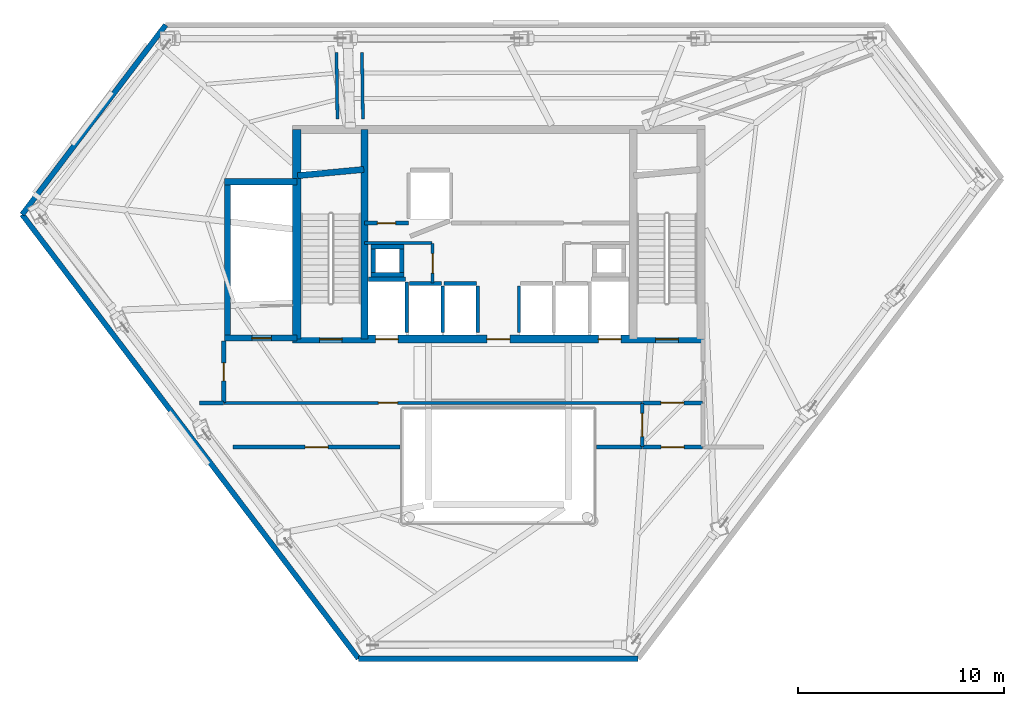
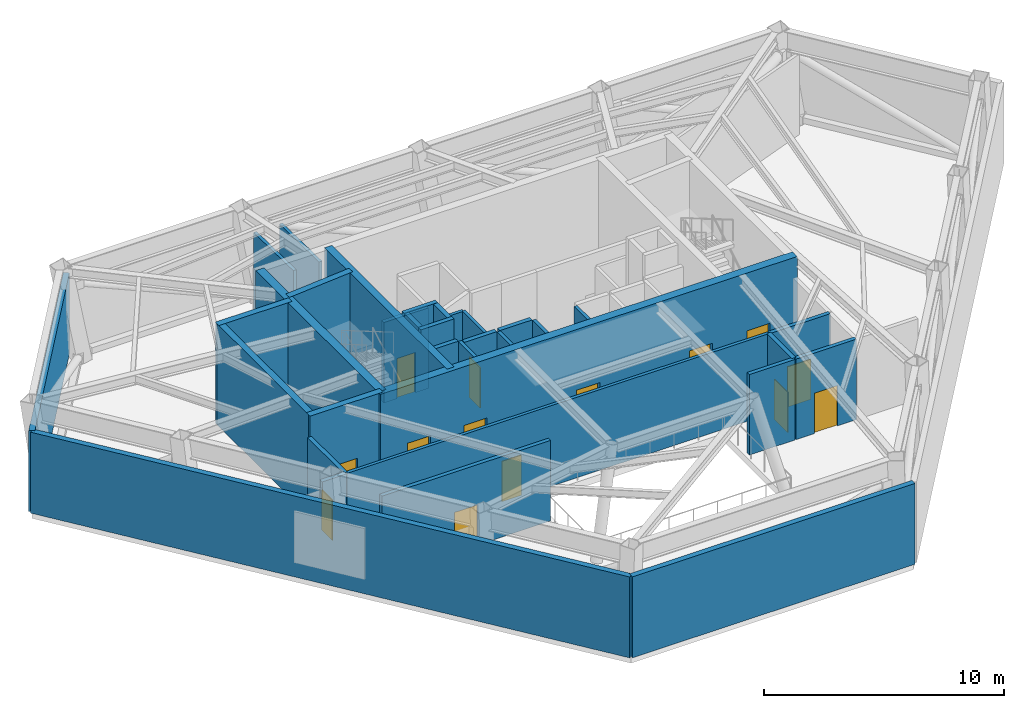
# One storey, part 5 of 10: 34 walls, 14 doors, 14 openings.
"""IFC4 building model written with IfcOpenShell, lengths in metres."""

import ifcopenshell
import ifcopenshell.guid

model = None  # the IFC model being written
_history = None  # IfcOwnerHistory: only IFC2X3 demands one
_inside = {}  # id of a spatial element -> (the spatial element, [elements in it])
_under = {}  # id of a project, library or spatial element -> (it, [spatial elements below it])
_declared = {}  # id of a project -> (the project, [libraries it declares])
_typed = {}  # id of a type object -> (the type object, [elements of that type])
_made_of = {}  # id of a material, layer set ... -> (it, [elements and type objects made of it])


def new_model(schema):
    """Start an empty IFC model of exactly this schema.

    Asked for "IFC4X3", IfcOpenShell would pick the latest addendum, in which some entities
    have other attributes; the version numbers below select the first issue.
    IFC2X3 requires an IfcOwnerHistory on every rooted entity: one is made here for all.
    """
    global model, _history
    if schema == "IFC4X3":
        model = ifcopenshell.file(schema_version=(4, 3, 0, 0))
    else:
        model = ifcopenshell.file(schema=schema)
    _inside.clear()
    _under.clear()
    _declared.clear()
    _typed.clear()
    _made_of.clear()
    _history = None
    if model.schema == "IFC2X3":
        org = make("IfcOrganization", Name="unknown")
        user = make(
            "IfcPersonAndOrganization",
            ThePerson=make("IfcPerson", FamilyName="unknown"),
            TheOrganization=org,
        )
        app = make(
            "IfcApplication",
            ApplicationDeveloper=org,
            Version="unknown",
            ApplicationFullName="unknown",
            ApplicationIdentifier="unknown",
        )
        _history = make(
            "IfcOwnerHistory",
            OwningUser=user,
            OwningApplication=app,
            ChangeAction="ADDED",
            CreationDate=0,
        )
    return model


def make(cls, **values):
    """One entity of the class cls with the attributes given. An attribute that is None is left unset."""
    return model.create_entity(
        cls, **{name: value for name, value in values.items() if value is not None}
    )


def rooted(cls, **values):
    """An entity with a GlobalId (a new one), such as an element, a storey or a relation."""
    return make(cls, GlobalId=ifcopenshell.guid.new(), OwnerHistory=_history, **values)


def si_unit(unit_type, name, prefix=None):
    """IfcSIUnit, for example si_unit("LENGTHUNIT", "METRE", prefix="MILLI")."""
    return make("IfcSIUnit", UnitType=unit_type, Prefix=prefix, Name=name)


def assignment(units):
    """IfcUnitAssignment: the units of a project."""
    return None if units is None else make("IfcUnitAssignment", Units=units)


def point(xyz):
    """IfcCartesianPoint."""
    return None if xyz is None else make("IfcCartesianPoint", Coordinates=xyz)


def direction(xyz):
    """IfcDirection."""
    return None if xyz is None else make("IfcDirection", DirectionRatios=xyz)


def frame(location, z_axis=None, x_axis=None):
    """IfcAxis2Placement3D, a coordinate frame: its origin and axes. An axis left out is left unset."""
    return make(
        "IfcAxis2Placement3D",
        Location=point(location),
        Axis=direction(z_axis),
        RefDirection=direction(x_axis),
    )


def frame_2d(location, x_axis=None):
    """IfcAxis2Placement2D, a coordinate frame in the plane: its origin and x axis."""
    return make(
        "IfcAxis2Placement2D", Location=point(location), RefDirection=direction(x_axis)
    )


def origin():
    """The frame at (0, 0, 0) with its axes left unset."""
    return frame((0.0, 0.0, 0.0))


def place(relative_to, where):
    """IfcLocalPlacement: puts the frame where relative to a parent placement (None: the world)."""
    return make(
        "IfcLocalPlacement", PlacementRelTo=relative_to, RelativePlacement=where
    )


def context(
    kind, dimensions, precision=None, world=None, true_north=None, identifier=None
):
    """IfcGeometricRepresentationContext, for example the 3D "Model" context."""
    return make(
        "IfcGeometricRepresentationContext",
        ContextIdentifier=identifier,
        ContextType=kind,
        CoordinateSpaceDimension=dimensions,
        Precision=precision,
        WorldCoordinateSystem=world,
        TrueNorth=true_north,
    )


def subcontext(parent, identifier, kind, view, scale=None):
    """IfcGeometricRepresentationSubContext, for example "Body" below "Model"."""
    return make(
        "IfcGeometricRepresentationSubContext",
        ContextIdentifier=identifier,
        ContextType=kind,
        ParentContext=parent,
        TargetScale=scale,
        TargetView=view,
    )


def project(units=None, contexts=None):
    """IfcProject with its units and contexts."""
    return rooted(
        "IfcProject",
        Name="project",
        RepresentationContexts=contexts,
        UnitsInContext=assignment(units),
    )


def spatial(cls, under=None, at=None, **own):
    """A site, building, storey or space (cls), placed at a placement, below another one or the project."""
    s = rooted(cls, ObjectPlacement=at, **own)
    if under is not None:
        _under.setdefault(under.id(), (under, []))[1].append(s)
    return s


def profile(cls, at=None, kind="AREA", **sizes):
    """A parametric profile (cls). Its sizes go by their IFC names, for example OverallWidth=200.0."""
    return make(cls, ProfileType=kind, Position=at, **sizes)


def rectangle(**sizes):
    """IfcRectangleProfileDef."""
    return profile("IfcRectangleProfileDef", **sizes)


def extrude(swept, where, along, depth):
    """IfcExtrudedAreaSolid: the profile swept, set in the frame where, extruded along a direction by depth."""
    return make(
        "IfcExtrudedAreaSolid",
        SweptArea=swept,
        Position=where,
        ExtrudedDirection=direction(along),
        Depth=depth,
    )


def shape(context_of_items, identifier, shape_type, items):
    """IfcShapeRepresentation: the items that make up one representation, for example the "Body"."""
    return make(
        "IfcShapeRepresentation",
        ContextOfItems=context_of_items,
        RepresentationIdentifier=identifier,
        RepresentationType=shape_type,
        Items=items,
    )


def material(Name=None, Category=None):
    """IfcMaterial."""
    return make("IfcMaterial", Name=Name, Category=Category)


def layer(
    of_material, thickness, ventilated=None, Name=None, Category=None, Priority=None
):
    """IfcMaterialLayer: one layer of a wall or slab, of a material (None: an air gap)."""
    return make(
        "IfcMaterialLayer",
        Material=of_material,
        LayerThickness=thickness,
        IsVentilated=ventilated,
        Name=Name,
        Category=Category,
        Priority=Priority,
    )


def layer_set(layers, Name=None):
    """IfcMaterialLayerSet."""
    return make("IfcMaterialLayerSet", MaterialLayers=layers, LayerSetName=Name)


def made_of(thing, what):
    """Note that an element or type object is made of a material, layer set ...; save() writes the relation."""
    if what is not None:
        _made_of.setdefault(what.id(), (what, []))[1].append(thing)
    return thing


def type_object(cls, material=None, **own):
    """A type object (cls), such as IfcWallType, which elements share."""
    return made_of(rooted(cls, **own), material)


def element(
    cls,
    number,
    at=None,
    inside=None,
    cuts=None,
    type_object=None,
    material=None,
    context=None,
    identifier="Body",
    shape_type=None,
    held_by="IfcProductDefinitionShape",
    body=None,
    shapes=None,
    **own,
):
    """One element of the class cls, such as IfcWall. Its Tag is "e" and its number.

    at: its placement. inside: the storey or other place that contains it. cuts: it is an
    opening in that element (IfcRelVoidsElement). A single representation is given by context,
    identifier, shape_type and body (its items); several are given by shapes. held_by: the class
    of the entity that holds the representations. save() writes the other relations.
    """
    e = rooted(cls, Tag="e%d" % number, ObjectPlacement=at, **own)
    if body is not None:
        shapes = [shape(context, identifier, shape_type, body)]
    if shapes is not None:
        e.Representation = make(held_by, Representations=shapes)
    if inside is not None:
        _inside.setdefault(inside.id(), (inside, []))[1].append(e)
    if cuts is not None:
        rooted(
            "IfcRelVoidsElement", RelatingBuildingElement=cuts, RelatedOpeningElement=e
        )
    if type_object is not None:
        _typed.setdefault(type_object.id(), (type_object, []))[1].append(e)
    return made_of(e, material)


def fill(opening, filler):
    """IfcRelFillsElement: the door or window that sits in an opening."""
    return rooted(
        "IfcRelFillsElement",
        RelatingOpeningElement=opening,
        RelatedBuildingElement=filler,
    )


def aggregate(whole, parts):
    """IfcRelAggregates: a whole, such as a stair, and the parts it consists of."""
    return rooted("IfcRelAggregates", RelatingObject=whole, RelatedObjects=parts)


def save(model, path):
    """Write the relations noted so far, then the file.

    IfcRelAggregates (storeys below a building ...), IfcRelContainedInSpatialStructure (elements
    in a storey), IfcRelDefinesByType, IfcRelAssociatesMaterial and IfcRelDeclares: one each for
    every whole, place, type object, material and project.
    """
    for whole, parts in _under.values():
        aggregate(whole, parts)
    for where, things in _inside.values():
        rooted(
            "IfcRelContainedInSpatialStructure",
            RelatedElements=things,
            RelatingStructure=where,
        )
    for kind, things in _typed.values():
        rooted("IfcRelDefinesByType", RelatedObjects=things, RelatingType=kind)
    for what, things in _made_of.values():
        rooted("IfcRelAssociatesMaterial", RelatedObjects=things, RelatingMaterial=what)
    for by, libraries in _declared.values():
        rooted("IfcRelDeclares", RelatingContext=by, RelatedDefinitions=libraries)
    model.write(path)


model = new_model("IFC4")

# Units and contexts
model_context = context("Model", 3, precision=1e-05, world=origin(), true_north=direction((0.0, 1.0)))
body_context = subcontext(model_context, "Body", "Model", "MODEL_VIEW")
ifc_project = project(units=[si_unit("LENGTHUNIT", "METRE"), si_unit("AREAUNIT", "SQUARE_METRE"), si_unit("VOLUMEUNIT", "CUBIC_METRE"), si_unit("PLANEANGLEUNIT", "RADIAN"), si_unit("MASSUNIT", "GRAM", prefix="KILO")], contexts=[model_context])

# Site, building, storey
site_placement = place(None, origin())
site = spatial("IfcSite", under=ifc_project, at=site_placement, CompositionType="ELEMENT")
building_placement = place(site_placement, origin())
building = spatial("IfcBuilding", under=site, at=building_placement, Name="Zarrinselat Tower", CompositionType="ELEMENT")
storey_placement = place(building_placement, frame((0.0, 0.0, 194.47998046875)))
storey = spatial("IfcBuildingStorey", under=building, at=storey_placement, Name="L48", CompositionType="ELEMENT", Elevation=194.47998046875)

# Walls
ifc_material_1 = material(Name="Honed Cream Travertine Stone", Category="masonry")
ifc_layer_1 = layer(ifc_material_1, 0.260009765625)
ifc_layer_set_1 = layer_set([ifc_layer_1], Name="Honed Cream Travertine Stone")
wall_type_1 = type_object("IfcWallType", Name="WAL-EXT-STONE-260", PredefinedType="STANDARD", material=ifc_layer_set_1)
wall_1_placement = place(storey_placement, frame((15.244384765625, 39.31005859375, 0.0), z_axis=(0.0, 0.0, 1.0), x_axis=(0.603857281528, 0.797092456084, 0.0)))
element("IfcWall", 1, at=wall_1_placement, inside=storey, type_object=wall_type_1, Name="L48 Mechanical Plant Travertine Perimeter Wall 2", PredefinedType="STANDARD", context=body_context, shape_type="SweptSolid", body=[
    extrude(rectangle(XDim=11.564208984375, YDim=0.260009765625, at=frame_2d((5.7822265625, 0.0))), origin(), (0.0, 0.0, 1.0), 4.116943359375),
])
wall_2_placement = place(storey_placement, frame((15.244384765625, 39.31005859375, 0.0), z_axis=(0.0, 0.0, 1.0), x_axis=(0.603860117067, -0.797090307942, 0.0)))
element("IfcWall", 2, at=wall_2_placement, inside=storey, type_object=wall_type_1, Name="L48 Mechanical Plant Travertine Perimeter Wall 3", PredefinedType="STANDARD", context=body_context, shape_type="SweptSolid", body=[
    extrude(rectangle(XDim=27.09130859375, YDim=0.260009765625, at=frame_2d((13.545654296875, 0.0))), origin(), (0.0, 0.0, 1.0), 4.116943359375),
])
wall_3_placement = place(storey_placement, frame((31.603759765625, 17.7158203125, 0.0), z_axis=(0.0, 0.0, 1.0), x_axis=(1.0, 0.0, 0.0)))
element("IfcWall", 3, at=wall_3_placement, inside=storey, type_object=wall_type_1, Name="L48 Mechanical Plant Travertine Perimeter Wall 4", PredefinedType="STANDARD", context=body_context, shape_type="SweptSolid", body=[
    extrude(rectangle(XDim=13.592529296875, YDim=0.260009765625, at=frame_2d((6.79638671875, 0.0))), origin(), (0.0, 0.0, 1.0), 4.116943359375),
])

# Wall, opening, door
ifc_material_2 = material(Name="Concrete C40/50", Category="concrete")
ifc_layer_2 = layer(ifc_material_2, 0.18994140625)
ifc_layer_set_2 = layer_set([ifc_layer_2], Name="Concrete C40/50")
wall_type_2 = type_object("IfcWallType", Name="WAL-PART-EI120", PredefinedType="PARTITIONING", material=ifc_layer_set_2)
wall_4_placement = place(storey_placement, frame((45.405029296875, 30.14990234375, 0.0), z_axis=(0.0, 0.0, 1.0), x_axis=(1.0, 0.0, 0.0)))
wall_4 = element("IfcWall", 4, at=wall_4_placement, inside=storey, type_object=wall_type_2, Name="L48 Partition Wall 9", PredefinedType="PARTITIONING", context=body_context, shape_type="SweptSolid", body=[
    extrude(rectangle(XDim=2.925048828125, YDim=0.18994140625, at=frame_2d((1.46240234375, 0.0))), origin(), (0.0, 0.0, 1.0), 4.096923828125),
])
opening_1_placement = place(wall_4_placement, frame((0.902587890625, 0.0, 0.0)))
opening_1 = element("IfcOpeningElement", 5, at=opening_1_placement, cuts=wall_4, Name="Opening ID-02", PredefinedType="OPENING", context=body_context, shape_type="SweptSolid", body=[
    extrude(rectangle(XDim=1.1201171875, YDim=2.050048828125, at=frame_2d((0.56005859375, 1.02490234375))), frame((0.0, 0.10498046875, 0.0), z_axis=(0.0, -1.0, 0.0), x_axis=(1.0, 0.0, 0.0)), (0.0, 0.0, 1.0), 0.2099609375),
])
ifc_material_3 = material(Name="Steel S355J2", Category="steel")
door_type_1 = type_object("IfcDoorType", Name="DR-INT-FD60-W", OperationType="NOTDEFINED", PredefinedType="DOOR", material=ifc_material_3)
door_1_placement = place(opening_1_placement, origin())
door_1 = element("IfcDoor", 6, at=door_1_placement, inside=storey, type_object=door_type_1, Name="L48 Interior Door P9", OperationType="SINGLE_SWING_RIGHT", OverallHeight=2.050048828125, OverallWidth=1.1201171875, PredefinedType="DOOR", context=body_context, shape_type="SweptSolid", body=[
    extrude(rectangle(XDim=1.1201171875, YDim=2.050048828125, at=frame_2d((0.56005859375, 1.02490234375))), frame((0.0, 0.02490234375, 0.0), z_axis=(0.0, -1.0, 0.0), x_axis=(1.0, 0.0, 0.0)), (0.0, 0.0, 1.0), 0.050048828125),
])
fill(opening_1, door_1)

wall_5_placement = place(storey_placement, frame((45.39990234375, 28.02001953125, 0.0), z_axis=(0.0, 0.0, 1.0), x_axis=(0.0, 1.0, 0.0)))
wall_5 = element("IfcWall", 7, at=wall_5_placement, inside=storey, type_object=wall_type_2, Name="L48 Partition Wall 13", PredefinedType="PARTITIONING", context=body_context, shape_type="SweptSolid", body=[
    extrude(rectangle(XDim=2.10986328125, YDim=0.18994140625, at=frame_2d((1.054931640625, 0.0))), origin(), (0.0, 0.0, 1.0), 4.096923828125),
])
opening_2_placement = place(wall_5_placement, frame((0.4951171875, 0.0, 0.0)))
opening_2 = element("IfcOpeningElement", 8, at=opening_2_placement, cuts=wall_5, Name="Opening ID-02", PredefinedType="OPENING", context=body_context, shape_type="SweptSolid", body=[
    extrude(rectangle(XDim=1.1201171875, YDim=2.050048828125, at=frame_2d((0.56005859375, 1.02490234375))), frame((0.0, 0.10498046875, 0.0), z_axis=(0.0, -1.0, 0.0), x_axis=(1.0, 0.0, 0.0)), (0.0, 0.0, 1.0), 0.2099609375),
])
door_2_placement = place(opening_2_placement, origin())
door_2 = element("IfcDoor", 9, at=door_2_placement, inside=storey, type_object=door_type_1, Name="L48 Interior Door P13", OperationType="SINGLE_SWING_RIGHT", OverallHeight=2.050048828125, OverallWidth=1.1201171875, PredefinedType="DOOR", context=body_context, shape_type="SweptSolid", body=[
    extrude(rectangle(XDim=1.1201171875, YDim=2.050048828125, at=frame_2d((0.56005859375, 1.02490234375))), frame((0.0, 0.02490234375, 0.0), z_axis=(0.0, -1.0, 0.0), x_axis=(1.0, 0.0, 0.0)), (0.0, 0.0, 1.0), 0.050048828125),
])
fill(opening_2, door_2)

wall_6_placement = place(storey_placement, frame((45.419921875, 28.0, 0.0), z_axis=(0.0, 0.0, 1.0), x_axis=(1.0, 0.0, 0.0)))
wall_6 = element("IfcWall", 10, at=wall_6_placement, inside=storey, type_object=wall_type_2, Name="L48 Partition Wall 14", PredefinedType="PARTITIONING", context=body_context, shape_type="SweptSolid", body=[
    extrude(rectangle(XDim=2.91015625, YDim=0.18994140625, at=frame_2d((1.455078125, 0.0))), origin(), (0.0, 0.0, 1.0), 4.096923828125),
])
opening_3_placement = place(wall_6_placement, frame((0.89501953125, 0.0, 0.0)))
opening_3 = element("IfcOpeningElement", 11, at=opening_3_placement, cuts=wall_6, Name="Opening ID-02", PredefinedType="OPENING", context=body_context, shape_type="SweptSolid", body=[
    extrude(rectangle(XDim=1.1201171875, YDim=2.050048828125, at=frame_2d((0.56005859375, 1.02490234375))), frame((0.0, 0.10498046875, 0.0), z_axis=(0.0, -1.0, 0.0), x_axis=(1.0, 0.0, 0.0)), (0.0, 0.0, 1.0), 0.2099609375),
])
door_3_placement = place(opening_3_placement, origin())
door_3 = element("IfcDoor", 12, at=door_3_placement, inside=storey, type_object=door_type_1, Name="L48 Interior Door P14", OperationType="SINGLE_SWING_LEFT", OverallHeight=2.050048828125, OverallWidth=1.1201171875, PredefinedType="DOOR", context=body_context, shape_type="SweptSolid", body=[
    extrude(rectangle(XDim=1.1201171875, YDim=2.050048828125, at=frame_2d((0.56005859375, 1.02490234375))), frame((0.0, 0.02490234375, 0.0), z_axis=(0.0, -1.0, 0.0), x_axis=(1.0, 0.0, 0.0)), (0.0, 0.0, 1.0), 0.050048828125),
])
fill(opening_3, door_3)

# Wall
wall_7_placement = place(storey_placement, frame((43.179931640625, 28.0, 0.0), z_axis=(0.0, 0.0, 1.0), x_axis=(1.0, 0.0, 0.0)))
element("IfcWall", 13, at=wall_7_placement, inside=storey, type_object=wall_type_2, Name="L48 Partition Wall 16", PredefinedType="PARTITIONING", context=body_context, shape_type="SweptSolid", body=[
    extrude(rectangle(XDim=2.199951171875, YDim=0.18994140625, at=frame_2d((1.10009765625, 0.0))), origin(), (0.0, 0.0, 1.0), 4.096923828125),
])

# Wall, opening, door
wall_8_placement = place(storey_placement, frame((25.506103515625, 28.0, 0.0), z_axis=(0.0, 0.0, 1.0), x_axis=(1.0, 0.0, 0.0)))
wall_8 = element("IfcWall", 14, at=wall_8_placement, inside=storey, type_object=wall_type_2, Name="L48 Partition Wall 17", PredefinedType="PARTITIONING", context=body_context, shape_type="SweptSolid", body=[
    extrude(rectangle(XDim=8.114013671875, YDim=0.18994140625, at=frame_2d((4.05712890625, 0.0))), origin(), (0.0, 0.0, 1.0), 4.096923828125),
])
opening_4_placement = place(wall_8_placement, frame((3.496826171875, 0.0, 0.0)))
opening_4 = element("IfcOpeningElement", 15, at=opening_4_placement, cuts=wall_8, Name="Opening ID-02", PredefinedType="OPENING", context=body_context, shape_type="SweptSolid", body=[
    extrude(rectangle(XDim=1.1201171875, YDim=2.050048828125, at=frame_2d((0.56005859375, 1.02490234375))), frame((0.0, 0.10498046875, 0.0), z_axis=(0.0, -1.0, 0.0), x_axis=(1.0, 0.0, 0.0)), (0.0, 0.0, 1.0), 0.2099609375),
])
door_4_placement = place(opening_4_placement, origin())
door_4 = element("IfcDoor", 16, at=door_4_placement, inside=storey, type_object=door_type_1, Name="L48 Interior Door P17", OperationType="SINGLE_SWING_RIGHT", OverallHeight=2.050048828125, OverallWidth=1.1201171875, PredefinedType="DOOR", context=body_context, shape_type="SweptSolid", body=[
    extrude(rectangle(XDim=1.1201171875, YDim=2.050048828125, at=frame_2d((0.56005859375, 1.02490234375))), frame((0.0, 0.02490234375, 0.0), z_axis=(0.0, -1.0, 0.0), x_axis=(1.0, 0.0, 0.0)), (0.0, 0.0, 1.0), 0.050048828125),
])
fill(opening_4, door_4)

ifc_material_4 = material(Name="Fire-Rated Gypsum Board Partition", Category="gypsum")
ifc_layer_3 = layer(ifc_material_4, 0.14990234375)
ifc_layer_set_3 = layer_set([ifc_layer_3], Name="Fire-Rated Gypsum Board Partition")
wall_type_3 = type_object("IfcWallType", Name="WAL-PART-EI60", PredefinedType="PARTITIONING", material=ifc_layer_set_3)
wall_9_placement = place(storey_placement, frame((35.199951171875, 35.969970703125, 0.0), z_axis=(0.0, 0.0, 1.0), x_axis=(0.0, 1.0, 0.0)))
wall_9 = element("IfcWall", 17, at=wall_9_placement, inside=storey, type_object=wall_type_3, Name="L48 Partition Wall 1", PredefinedType="PARTITIONING", context=body_context, shape_type="SweptSolid", body=[
    extrude(rectangle(XDim=1.929931640625, YDim=0.14990234375, at=frame_2d((0.96484375, 0.0))), origin(), (0.0, 0.0, 1.0), 4.096923828125),
])
opening_5_placement = place(wall_9_placement, frame((0.4951171875, 0.0, 0.0)))
opening_5 = element("IfcOpeningElement", 18, at=opening_5_placement, cuts=wall_9, Name="Opening ID-04", PredefinedType="OPENING", context=body_context, shape_type="SweptSolid", body=[
    extrude(rectangle(XDim=0.93994140625, YDim=2.050048828125, at=frame_2d((0.469970703125, 1.02490234375))), frame((0.0, 0.0849609375, 0.0), z_axis=(0.0, -1.0, 0.0), x_axis=(1.0, 0.0, 0.0)), (0.0, 0.0, 1.0), 0.169921875),
])
ifc_material_5 = material(Name="Fire-Rated Gypsum Board Partition")
door_type_2 = type_object("IfcDoorType", Name="DR-INT-FD30-ENT", OperationType="NOTDEFINED", PredefinedType="DOOR", material=ifc_material_5)
door_5_placement = place(opening_5_placement, origin())
door_5 = element("IfcDoor", 19, at=door_5_placement, inside=storey, type_object=door_type_2, Name="L48 Interior Door P1", OperationType="SINGLE_SWING_RIGHT", OverallHeight=2.050048828125, OverallWidth=0.93994140625, PredefinedType="DOOR", context=body_context, shape_type="SweptSolid", body=[
    extrude(rectangle(XDim=0.93994140625, YDim=2.050048828125, at=frame_2d((0.469970703125, 1.02490234375))), frame((0.0, 0.02490234375, 0.0), z_axis=(0.0, -1.0, 0.0), x_axis=(1.0, 0.0, 0.0)), (0.0, 0.0, 1.0), 0.050048828125),
])
fill(opening_5, door_5)

# Wall
wall_10_placement = place(storey_placement, frame((31.885009765625, 37.919921875, 0.0), z_axis=(0.0, 0.0, 1.0), x_axis=(1.0, 0.0, 0.0)))
element("IfcWall", 20, at=wall_10_placement, inside=storey, type_object=wall_type_3, Name="L48 Partition Wall 2", PredefinedType="PARTITIONING", context=body_context, shape_type="SweptSolid", body=[
    extrude(rectangle(XDim=3.294921875, YDim=0.14990234375, at=frame_2d((1.6474609375, 0.0))), origin(), (0.0, 0.0, 1.0), 4.096923828125),
])

# Wall, opening, door
wall_11_placement = place(storey_placement, frame((25.070068359375, 30.14990234375, 0.0), z_axis=(0.0, 0.0, 1.0), x_axis=(1.0, 0.0, 0.0)))
wall_11 = element("IfcWall", 21, at=wall_11_placement, inside=storey, type_object=wall_type_3, Name="L48 Partition Wall 10", PredefinedType="PARTITIONING", context=body_context, shape_type="SweptSolid", body=[
    extrude(rectangle(XDim=20.324951171875, YDim=0.14990234375, at=frame_2d((10.16259765625, 0.0))), origin(), (0.0, 0.0, 1.0), 4.096923828125),
])
opening_6_placement = place(wall_11_placement, frame((7.492431640625, 0.0, 0.0)))
opening_6 = element("IfcOpeningElement", 22, at=opening_6_placement, cuts=wall_11, Name="Opening ID-04", PredefinedType="OPENING", context=body_context, shape_type="SweptSolid", body=[
    extrude(rectangle(XDim=0.93994140625, YDim=2.050048828125, at=frame_2d((0.469970703125, 1.02490234375))), frame((0.0, 0.0849609375, 0.0), z_axis=(0.0, -1.0, 0.0), x_axis=(1.0, 0.0, 0.0)), (0.0, 0.0, 1.0), 0.169921875),
])
door_6_placement = place(opening_6_placement, origin())
door_6 = element("IfcDoor", 23, at=door_6_placement, inside=storey, type_object=door_type_2, Name="L48 Interior Door P10", OperationType="SINGLE_SWING_LEFT", OverallHeight=2.050048828125, OverallWidth=0.93994140625, PredefinedType="DOOR", context=body_context, shape_type="SweptSolid", body=[
    extrude(rectangle(XDim=0.93994140625, YDim=2.050048828125, at=frame_2d((0.469970703125, 1.02490234375))), frame((0.0, 0.02490234375, 0.0), z_axis=(0.0, -1.0, 0.0), x_axis=(1.0, 0.0, 0.0)), (0.0, 0.0, 1.0), 0.050048828125),
])
fill(opening_6, door_6)

ifc_material_6 = material(Name="Concrete C40/50", Category="concrete")
ifc_layer_4 = layer(ifc_material_6, 0.199951171875)
ifc_layer_set_4 = layer_set([ifc_layer_4], Name="Concrete C40/50")
wall_type_4 = type_object("IfcWallType", Name="WAL-PART-PLANT", PredefinedType="PARTITIONING", material=ifc_layer_set_4)
wall_12_placement = place(storey_placement, frame((31.885009765625, 38.889892578125, 0.0), z_axis=(0.0, 0.0, 1.0), x_axis=(1.0, 0.0, 0.0)))
wall_12 = element("IfcWall", 24, at=wall_12_placement, inside=storey, type_object=wall_type_4, Name="L48 Partition Wall 3", PredefinedType="PARTITIONING", context=body_context, shape_type="SweptSolid", body=[
    extrude(rectangle(XDim=2.14990234375, YDim=0.199951171875, at=frame_2d((1.074951171875, 0.0))), origin(), (0.0, 0.0, 1.0), 4.096923828125),
])
opening_7_placement = place(wall_12_placement, frame((0.635009765625, 0.0, 0.0)))
opening_7 = element("IfcOpeningElement", 25, at=opening_7_placement, cuts=wall_12, Name="Opening ID-03", PredefinedType="OPENING", context=body_context, shape_type="SweptSolid", body=[
    extrude(rectangle(XDim=0.8798828125, YDim=2.050048828125, at=frame_2d((0.43994140625, 1.02490234375))), frame((0.0, 0.10986328125, 0.0), z_axis=(0.0, -1.0, 0.0), x_axis=(1.0, 0.0, 0.0)), (0.0, 0.0, 1.0), 0.219970703125),
])
ifc_material_7 = material(Name="Steel S355J2", Category="steel")
door_type_3 = type_object("IfcDoorType", Name="DR-INT-FD60-S", OperationType="NOTDEFINED", PredefinedType="DOOR", material=ifc_material_7)
door_7_placement = place(opening_7_placement, origin())
door_7 = element("IfcDoor", 26, at=door_7_placement, inside=storey, type_object=door_type_3, Name="L48 Interior Door P3", OperationType="SINGLE_SWING_LEFT", OverallHeight=2.050048828125, OverallWidth=0.8798828125, PredefinedType="DOOR", context=body_context, shape_type="SweptSolid", body=[
    extrude(rectangle(XDim=0.8798828125, YDim=2.050048828125, at=frame_2d((0.43994140625, 1.02490234375))), frame((0.0, 0.02490234375, 0.0), z_axis=(0.0, -1.0, 0.0), x_axis=(1.0, 0.0, 0.0)), (0.0, 0.0, 1.0), 0.050048828125),
])
fill(opening_7, door_7)

wall_13_placement = place(storey_placement, frame((25.050048828125, 30.169921875, 0.0), z_axis=(0.0, 0.0, 1.0), x_axis=(0.0, 1.0, 0.0)))
wall_13 = element("IfcWall", 27, at=wall_13_placement, inside=storey, type_object=wall_type_4, Name="L48 Partition Wall 12", PredefinedType="PARTITIONING", context=body_context, shape_type="SweptSolid", body=[
    extrude(rectangle(XDim=2.97998046875, YDim=0.199951171875, at=frame_2d((1.489990234375, 0.0))), origin(), (0.0, 0.0, 1.0), 4.096923828125),
])
opening_8_placement = place(wall_13_placement, frame((1.050048828125, 0.0, 0.0)))
opening_8 = element("IfcOpeningElement", 28, at=opening_8_placement, cuts=wall_13, Name="Opening ID-03", PredefinedType="OPENING", context=body_context, shape_type="SweptSolid", body=[
    extrude(rectangle(XDim=0.8798828125, YDim=2.050048828125, at=frame_2d((0.43994140625, 1.02490234375))), frame((0.0, 0.10986328125, 0.0), z_axis=(0.0, -1.0, 0.0), x_axis=(1.0, 0.0, 0.0)), (0.0, 0.0, 1.0), 0.219970703125),
])
door_8_placement = place(opening_8_placement, origin())
door_8 = element("IfcDoor", 29, at=door_8_placement, inside=storey, type_object=door_type_3, Name="L48 Interior Door P12", OperationType="SINGLE_SWING_LEFT", OverallHeight=2.050048828125, OverallWidth=0.8798828125, PredefinedType="DOOR", context=body_context, shape_type="SweptSolid", body=[
    extrude(rectangle(XDim=0.8798828125, YDim=2.050048828125, at=frame_2d((0.43994140625, 1.02490234375))), frame((0.0, 0.02490234375, 0.0), z_axis=(0.0, -1.0, 0.0), x_axis=(1.0, 0.0, 0.0)), (0.0, 0.0, 1.0), 0.050048828125),
])
fill(opening_8, door_8)

# Walls
wall_14_placement = place(storey_placement, frame((23.87744140625, 30.14990234375, 0.0), z_axis=(0.0, 0.0, 1.0), x_axis=(1.0, 0.0, 0.0)))
element("IfcWall", 30, at=wall_14_placement, inside=storey, type_object=wall_type_4, Name="L48 Partition Wall 18", PredefinedType="PARTITIONING", context=body_context, shape_type="SweptSolid", body=[
    extrude(rectangle(XDim=1.152587890625, YDim=0.199951171875, at=frame_2d((0.576171875, 0.0))), origin(), (0.0, 0.0, 1.0), 4.096923828125),
])
ifc_material_8 = material(Name="Fire-Rated Gypsum Board Partition", Category="gypsum")
ifc_layer_5 = layer(ifc_material_8, 0.1201171875)
ifc_layer_set_5 = layer_set([ifc_layer_5], Name="Fire-Rated Gypsum Board Partition")
wall_type_5 = type_object("IfcWallType", Name="WAL-PART-STD", PredefinedType="PARTITIONING", material=ifc_layer_set_5)
for number, where, z_axis, x_axis, name in (
    (31, (31.77001953125, 47.177978515625, 0.0), (0.0, 0.0, 1.0), (0.014217289268, -0.999898929235, 0.0), "L48 Outrigger Truss Zone 16 Fire Partition 1"),
    (32, (30.52978515625, 47.177978515625, 0.0), (0.0, 0.0, 1.0), (0.014217289268, -0.999898929235, 0.0), "L48 Outrigger Truss Zone 16 Fire Partition 2"),
):
    element("IfcWall", number, at=place(storey_placement, frame(where, z_axis=z_axis, x_axis=x_axis)), inside=storey, type_object=wall_type_5, Name=name, PredefinedType="PARTITIONING", context=body_context, shape_type="SweptSolid", body=[
        extrude(rectangle(XDim=3.228271484375, YDim=0.14990234375, at=frame_2d((1.6142578125, 0.0))), origin(), (0.0, 0.0, 1.0), 4.096923828125),
    ])
ifc_material_9 = material(Name="Concrete C40/50", Category="concrete")
ifc_layer_6 = layer(ifc_material_9, 0.2099609375)
ifc_layer_set_6 = layer_set([ifc_layer_6], Name="Concrete C40/50")
wall_type_6 = type_object("IfcWallType", Name="WAL-SHAFT-210", PredefinedType="SOLIDWALL", material=ifc_layer_set_6)
wall_15_placement = place(storey_placement, frame((32.080078125, 36.155029296875, 0.0), z_axis=(0.0, 0.0, 1.0), x_axis=(1.0, 0.0, 0.0)))
element("IfcWall", 33, at=wall_15_placement, inside=storey, type_object=wall_type_6, Name="L48 Lift FFL1 North Shaft Wall", PredefinedType="SOLIDWALL", context=body_context, shape_type="SweptSolid", body=[
    extrude(rectangle(XDim=1.7998046875, YDim=0.2099609375, at=frame_2d((0.89990234375, 0.0))), origin(), (0.0, 0.0, 1.0), 4.112060546875),
])
wall_16_placement = place(storey_placement, frame((33.949951171875, 33.580078125, 0.0), z_axis=(0.0, 0.0, 1.0), x_axis=(0.0, 1.0, 0.0)))
element("IfcWall", 34, at=wall_16_placement, inside=storey, type_object=wall_type_6, Name="L48 Lift FFL1 E Shaft Wall", PredefinedType="SOLIDWALL", context=body_context, shape_type="SweptSolid", body=[
    extrude(rectangle(XDim=2.449951171875, YDim=0.159912109375, at=frame_2d((1.22509765625, 0.0))), origin(), (0.0, 0.0, 1.0), 4.112060546875),
])
wall_17_placement = place(storey_placement, frame((34.070068359375, 35.955078125, 0.0), z_axis=(0.0, 0.0, 1.0), x_axis=(1.0, 0.0, 0.0)))
element("IfcWall", 35, at=wall_17_placement, inside=storey, type_object=wall_type_6, Name="L48 Lift PL5 North Shaft Wall", PredefinedType="SOLIDWALL", context=body_context, shape_type="SweptSolid", body=[
    extrude(rectangle(XDim=1.559814453125, YDim=0.2099609375, at=frame_2d((0.77978515625, 0.0))), origin(), (0.0, 0.0, 1.0), 4.112060546875),
])
wall_18_placement = place(storey_placement, frame((35.699951171875, 33.580078125, 0.0), z_axis=(0.0, 0.0, 1.0), x_axis=(0.0, 1.0, 0.0)))
element("IfcWall", 36, at=wall_18_placement, inside=storey, type_object=wall_type_6, Name="L48 Lift PL5 E Shaft Wall", PredefinedType="SOLIDWALL", context=body_context, shape_type="SweptSolid", body=[
    extrude(rectangle(XDim=2.25, YDim=0.159912109375, at=frame_2d((1.125, 0.0))), origin(), (0.0, 0.0, 1.0), 4.112060546875),
])
wall_19_placement = place(storey_placement, frame((35.77001953125, 35.955078125, 0.0), z_axis=(0.0, 0.0, 1.0), x_axis=(1.0, 0.0, 0.0)))
element("IfcWall", 37, at=wall_19_placement, inside=storey, type_object=wall_type_6, Name="L48 Lift PL6 North Shaft Wall", PredefinedType="SOLIDWALL", context=body_context, shape_type="SweptSolid", body=[
    extrude(rectangle(XDim=1.56005859375, YDim=0.2099609375, at=frame_2d((0.780029296875, 0.0))), origin(), (0.0, 0.0, 1.0), 4.112060546875),
])
for number, where, z_axis, x_axis, name in (
    (38, (37.39990234375, 33.580078125, 0.0), (0.0, 0.0, 1.0), (0.0, 1.0, 0.0), "L48 Lift PL6 E Shaft Wall"),
    (39, (39.39990234375, 33.580078125, 0.0), (0.0, 0.0, 1.0), (0.0, 1.0, 0.0), "L48 Lift PL8 W Shaft Wall"),
):
    element("IfcWall", number, at=place(storey_placement, frame(where, z_axis=z_axis, x_axis=x_axis)), inside=storey, type_object=wall_type_6, Name=name, PredefinedType="SOLIDWALL", context=body_context, shape_type="SweptSolid", body=[
        extrude(rectangle(XDim=2.25, YDim=0.159912109375, at=frame_2d((1.125, 0.0))), origin(), (0.0, 0.0, 1.0), 4.112060546875),
    ])
for number, where, z_axis, x_axis, name in (
    (40, (32.2099609375, 36.375, 0.0), (0.0, 0.0, 1.0), (1.0, 0.0, 0.0), "L48 Core Riser RSR-W S Shaft Wall"),
    (41, (32.2099609375, 37.7451171875, 0.0), (0.0, 0.0, 1.0), (1.0, 0.0, 0.0), "L48 Core Riser RSR-W N Shaft Wall"),
):
    element("IfcWall", number, at=place(storey_placement, frame(where, z_axis=z_axis, x_axis=x_axis)), inside=storey, type_object=wall_type_6, Name=name, PredefinedType="SOLIDWALL", context=body_context, shape_type="SweptSolid", body=[
        extrude(rectangle(XDim=1.60009765625, YDim=0.2099609375, at=frame_2d((0.800048828125, 0.0))), origin(), (0.0, 0.0, 1.0), 5.14013671875),
    ])
for number, where, z_axis, x_axis, name in (
    (42, (32.31494140625, 36.485107421875, 0.0), (0.0, 0.0, 1.0), (0.0, 1.0, 0.0), "L48 Core Riser RSR-W W Shaft Wall"),
    (43, (33.705078125, 36.485107421875, 0.0), (0.0, 0.0, 1.0), (0.0, 1.0, 0.0), "L48 Core Riser RSR-W E Shaft Wall"),
):
    element("IfcWall", number, at=place(storey_placement, frame(where, z_axis=z_axis, x_axis=x_axis)), inside=storey, type_object=wall_type_6, Name=name, PredefinedType="SOLIDWALL", context=body_context, shape_type="SweptSolid", body=[
        extrude(rectangle(XDim=1.14990234375, YDim=0.2099609375, at=frame_2d((0.574951171875, 0.0))), origin(), (0.0, 0.0, 1.0), 5.14013671875),
    ])
ifc_material_10 = material(Name="Concrete C40/50", Category="concrete")
ifc_layer_7 = layer(ifc_material_10, 0.300048828125)
ifc_layer_set_7 = layer_set([ifc_layer_7], Name="Concrete C40/50")
wall_type_7 = type_object("IfcWallType", Name="WAL-SHEAR-300", PredefinedType="SHEAR", material=ifc_layer_set_7)
wall_20_placement = place(storey_placement, frame((28.639892578125, 41.199951171875, 0.0), z_axis=(0.0, 0.0, 1.0), x_axis=(0.995687118776, 0.092774789157, 0.0)))
element("IfcWall", 44, at=wall_20_placement, inside=storey, type_object=wall_type_7, Name="L48 Stair 1 North Shaft Wall", PredefinedType="SHEAR", context=body_context, shape_type="SweptSolid", body=[
    extrude(rectangle(XDim=3.234130859375, YDim=0.300048828125, at=frame_2d((1.6171875, 0.0))), origin(), (0.0, 0.0, 1.0), 5.14013671875),
])
wall_21_placement = place(storey_placement, frame((25.080078125, 40.89990234375, 0.0), z_axis=(0.0, 0.0, 1.0), x_axis=(1.0, 0.0, 0.0)))
element("IfcWall", 45, at=wall_21_placement, inside=storey, type_object=wall_type_7, Name="L48 Stair 3 North Shear Wall", PredefinedType="SHEAR", context=body_context, shape_type="SweptSolid", body=[
    extrude(rectangle(XDim=3.52001953125, YDim=0.300048828125, at=frame_2d((1.760009765625, 0.0))), origin(), (0.0, 0.0, 1.0), 5.14013671875),
])

# Wall, opening, door
wall_22_placement = place(storey_placement, frame((25.080078125, 33.300048828125, 0.0), z_axis=(0.0, 0.0, 1.0), x_axis=(1.0, 0.0, 0.0)))
wall_22 = element("IfcWall", 46, at=wall_22_placement, inside=storey, type_object=wall_type_7, Name="L48 Stair 3 South Shear Wall", PredefinedType="SHEAR", context=body_context, shape_type="SweptSolid", body=[
    extrude(rectangle(XDim=3.52001953125, YDim=0.300048828125, at=frame_2d((1.760009765625, 0.0))), origin(), (0.0, 0.0, 1.0), 5.14013671875),
])
opening_9_placement = place(wall_22_placement, frame((1.3349609375, 0.0, 0.0)))
opening_9 = element("IfcOpeningElement", 47, at=opening_9_placement, cuts=wall_22, Name="Opening SD-02", PredefinedType="OPENING", context=body_context, shape_type="SweptSolid", body=[
    extrude(rectangle(XDim=0.949951171875, YDim=2.199951171875, at=frame_2d((0.47509765625, 1.10009765625))), frame((0.0, 0.159912109375, 0.0), z_axis=(0.0, -1.0, 0.0), x_axis=(1.0, 0.0, 0.0)), (0.0, 0.0, 1.0), 0.320068359375),
])
ifc_material_11 = material(Name="Steel S355J2", Category="steel")
door_type_4 = type_object("IfcDoorType", Name="DR-STAIR-1050", OperationType="NOTDEFINED", PredefinedType="DOOR", material=ifc_material_11)
door_9_placement = place(opening_9_placement, origin())
door_9 = element("IfcDoor", 48, at=door_9_placement, inside=storey, type_object=door_type_4, Name="L48 Exit Stair 3 Fire Door", OperationType="SINGLE_SWING_LEFT", OverallHeight=2.199951171875, OverallWidth=0.949951171875, PredefinedType="DOOR", context=body_context, shape_type="SweptSolid", body=[
    extrude(rectangle(XDim=0.949951171875, YDim=2.199951171875, at=frame_2d((0.47509765625, 1.10009765625))), frame((0.0, 0.02490234375, 0.0), z_axis=(0.0, -1.0, 0.0), x_axis=(1.0, 0.0, 0.0)), (0.0, 0.0, 1.0), 0.050048828125),
])
fill(opening_9, door_9)

# Walls
wall_23_placement = place(storey_placement, frame((25.22998046875, 33.300048828125, 0.0), z_axis=(0.0, 0.0, 1.0), x_axis=(0.0, 1.0, 0.0)))
element("IfcWall", 49, at=wall_23_placement, inside=storey, type_object=wall_type_7, Name="L48 Stair 3 West Shear Wall", PredefinedType="SHEAR", context=body_context, shape_type="SweptSolid", body=[
    extrude(rectangle(XDim=7.599853515625, YDim=0.300048828125, at=frame_2d((3.7998046875, 0.0))), origin(), (0.0, 0.0, 1.0), 5.14013671875),
])
ifc_material_12 = material(Name="Concrete C50/60", Category="concrete")
ifc_layer_8 = layer(ifc_material_12, 0.35009765625)
ifc_layer_set_8 = layer_set([ifc_layer_8], Name="Concrete C50/60")
wall_type_8 = type_object("IfcWallType", Name="WAL-SHEAR-350", PredefinedType="SHEAR", material=ifc_layer_set_8)
wall_24_placement = place(storey_placement, frame((31.89501953125, 33.25, 0.0), z_axis=(0.0, 0.0, 1.0), x_axis=(0.0, 1.0, 0.0)))
element("IfcWall", 50, at=wall_24_placement, inside=storey, type_object=wall_type_8, Name="L48 Core Shear Wall ST1E", PredefinedType="SHEAR", context=body_context, shape_type="SweptSolid", body=[
    extrude(rectangle(XDim=10.199951171875, YDim=0.35009765625, at=frame_2d((5.10009765625, 0.0))), origin(), (0.0, 0.0, 1.0), 5.14013671875),
])

# Wall, openings, doors
ifc_material_13 = material(Name="Concrete C60/75", Category="concrete")
ifc_layer_9 = layer(ifc_material_13, 0.39990234375)
ifc_layer_set_9 = layer_set([ifc_layer_9], Name="Concrete C60/75")
wall_type_9 = type_object("IfcWallType", Name="WAL-SHEAR-400", PredefinedType="SHEAR", material=ifc_layer_set_9)
wall_25_placement = place(storey_placement, frame((28.39990234375, 33.25, 0.0), z_axis=(0.0, 0.0, 1.0), x_axis=(1.0, 0.0, 0.0)))
wall_25 = element("IfcWall", 51, at=wall_25_placement, inside=storey, type_object=wall_type_9, Name="L48 South Core Shear Wall", PredefinedType="SHEAR", context=body_context, shape_type="SweptSolid", body=[
    extrude(rectangle(XDim=20.06005859375, YDim=0.39990234375, at=frame_2d((10.030029296875, 0.0))), origin(), (0.0, 0.0, 1.0), 5.14013671875),
])
opening_10_placement = place(wall_25_placement, frame((4.030029296875, 0.0, 0.0)))
opening_10 = element("IfcOpeningElement", 52, at=opening_10_placement, cuts=wall_25, Name="Opening LD-FFL1", PredefinedType="OPENING", context=body_context, shape_type="SweptSolid", body=[
    extrude(rectangle(XDim=1.10009765625, YDim=2.14990234375, at=frame_2d((0.550048828125, 1.074951171875))), frame((0.0, 0.2099609375, 0.0), z_axis=(0.0, -1.0, 0.0), x_axis=(1.0, 0.0, 0.0)), (0.0, 0.0, 1.0), 0.419921875),
])
opening_11_placement = place(wall_25_placement, frame((14.8701171875, 0.0, 0.0)))
opening_11 = element("IfcOpeningElement", 53, at=opening_11_placement, cuts=wall_25, Name="Opening LD-FFL2", PredefinedType="OPENING", context=body_context, shape_type="SweptSolid", body=[
    extrude(rectangle(XDim=1.10009765625, YDim=2.14990234375, at=frame_2d((0.550048828125, 1.074951171875))), frame((0.0, 0.2099609375, 0.0), z_axis=(0.0, -1.0, 0.0), x_axis=(1.0, 0.0, 0.0)), (0.0, 0.0, 1.0), 0.419921875),
])
opening_12_placement = place(wall_25_placement, frame((1.31005859375, 0.0, 0.0)))
opening_12 = element("IfcOpeningElement", 54, at=opening_12_placement, cuts=wall_25, Name="Opening SD-01", PredefinedType="OPENING", context=body_context, shape_type="SweptSolid", body=[
    extrude(rectangle(XDim=1.10009765625, YDim=2.199951171875, at=frame_2d((0.550048828125, 1.10009765625))), frame((0.0, 0.2099609375, 0.0), z_axis=(0.0, -1.0, 0.0), x_axis=(1.0, 0.0, 0.0)), (0.0, 0.0, 1.0), 0.419921875),
])
opening_13_placement = place(wall_25_placement, frame((9.43994140625, 0.0, 0.0)))
opening_13 = element("IfcOpeningElement", 55, at=opening_13_placement, cuts=wall_25, Name="Opening ID-02", PredefinedType="OPENING", context=body_context, shape_type="SweptSolid", body=[
    extrude(rectangle(XDim=1.1201171875, YDim=2.050048828125, at=frame_2d((0.56005859375, 1.02490234375))), frame((0.0, 0.2099609375, 0.0), z_axis=(0.0, -1.0, 0.0), x_axis=(1.0, 0.0, 0.0)), (0.0, 0.0, 1.0), 0.419921875),
])
opening_14_placement = place(wall_25_placement, frame((17.64990234375, 0.0, 0.0)))
opening_14 = element("IfcOpeningElement", 56, at=opening_14_placement, cuts=wall_25, Name="Opening SD-01", PredefinedType="OPENING", context=body_context, shape_type="SweptSolid", body=[
    extrude(rectangle(XDim=1.10009765625, YDim=2.199951171875, at=frame_2d((0.550048828125, 1.10009765625))), frame((0.0, 0.2099609375, 0.0), z_axis=(0.0, -1.0, 0.0), x_axis=(1.0, 0.0, 0.0)), (0.0, 0.0, 1.0), 0.419921875),
])
door_10_placement = place(opening_13_placement, origin())
door_10 = element("IfcDoor", 57, at=door_10_placement, inside=storey, type_object=door_type_1, Name="L48 Core Service Vestibule Fire Door", OperationType="SINGLE_SWING_RIGHT", OverallHeight=2.050048828125, OverallWidth=1.1201171875, PredefinedType="DOOR", context=body_context, shape_type="SweptSolid", body=[
    extrude(rectangle(XDim=1.1201171875, YDim=2.050048828125, at=frame_2d((0.56005859375, 1.02490234375))), frame((0.0, 0.02490234375, 0.0), z_axis=(0.0, -1.0, 0.0), x_axis=(1.0, 0.0, 0.0)), (0.0, 0.0, 1.0), 0.050048828125),
])
fill(opening_13, door_10)
ifc_material_14 = material(Name="Steel S355J2", Category="steel")
door_type_5 = type_object("IfcDoorType", Name="DR-LIFT-FF-1100", OperationType="NOTDEFINED", PredefinedType="DOOR", material=ifc_material_14)
door_11_placement = place(opening_10_placement, origin())
door_11 = element("IfcDoor", 58, at=door_11_placement, inside=storey, type_object=door_type_5, Name="L48 Lift FFL1 Sliding Landing Door", OperationType="SLIDING_TO_LEFT", OverallHeight=2.14990234375, OverallWidth=1.10009765625, PredefinedType="DOOR", context=body_context, shape_type="SweptSolid", body=[
    extrude(rectangle(XDim=1.10009765625, YDim=2.14990234375, at=frame_2d((0.550048828125, 1.074951171875))), frame((0.0, 0.02490234375, 0.0), z_axis=(0.0, -1.0, 0.0), x_axis=(1.0, 0.0, 0.0)), (0.0, 0.0, 1.0), 0.050048828125),
])
fill(opening_10, door_11)
door_12_placement = place(opening_11_placement, origin())
door_12 = element("IfcDoor", 59, at=door_12_placement, inside=storey, type_object=door_type_5, Name="L48 Lift FFL2 Sliding Landing Door", OperationType="SLIDING_TO_RIGHT", OverallHeight=2.14990234375, OverallWidth=1.10009765625, PredefinedType="DOOR", context=body_context, shape_type="SweptSolid", body=[
    extrude(rectangle(XDim=1.10009765625, YDim=2.14990234375, at=frame_2d((0.550048828125, 1.074951171875))), frame((0.0, 0.02490234375, 0.0), z_axis=(0.0, -1.0, 0.0), x_axis=(1.0, 0.0, 0.0)), (0.0, 0.0, 1.0), 0.050048828125),
])
fill(opening_11, door_12)
ifc_material_15 = material(Name="Steel S355J2", Category="steel")
door_type_6 = type_object("IfcDoorType", Name="DR-STAIR-1100", OperationType="NOTDEFINED", PredefinedType="DOOR", material=ifc_material_15)
door_13_placement = place(opening_12_placement, origin())
door_13 = element("IfcDoor", 60, at=door_13_placement, inside=storey, type_object=door_type_6, Name="L48 Exit Stair 1 Fire Door", OperationType="SINGLE_SWING_LEFT", OverallHeight=2.199951171875, OverallWidth=1.10009765625, PredefinedType="DOOR", context=body_context, shape_type="SweptSolid", body=[
    extrude(rectangle(XDim=1.10009765625, YDim=2.199951171875, at=frame_2d((0.550048828125, 1.10009765625))), frame((0.0, 0.02490234375, 0.0), z_axis=(0.0, -1.0, 0.0), x_axis=(1.0, 0.0, 0.0)), (0.0, 0.0, 1.0), 0.050048828125),
])
fill(opening_12, door_13)
door_14_placement = place(opening_14_placement, origin())
door_14 = element("IfcDoor", 61, at=door_14_placement, inside=storey, type_object=door_type_6, Name="L48 Exit Stair 2 Fire Door", OperationType="SINGLE_SWING_RIGHT", OverallHeight=2.199951171875, OverallWidth=1.10009765625, PredefinedType="DOOR", context=body_context, shape_type="SweptSolid", body=[
    extrude(rectangle(XDim=1.10009765625, YDim=2.199951171875, at=frame_2d((0.550048828125, 1.10009765625))), frame((0.0, 0.02490234375, 0.0), z_axis=(0.0, -1.0, 0.0), x_axis=(1.0, 0.0, 0.0)), (0.0, 0.0, 1.0), 0.050048828125),
])
fill(opening_14, door_14)

# Wall
wall_26_placement = place(storey_placement, frame((28.60009765625, 33.25, 0.0), z_axis=(0.0, 0.0, 1.0), x_axis=(0.0, 1.0, 0.0)))
element("IfcWall", 62, at=wall_26_placement, inside=storey, type_object=wall_type_9, Name="L48 Core Shear Wall W", PredefinedType="SHEAR", context=body_context, shape_type="SweptSolid", body=[
    extrude(rectangle(XDim=10.199951171875, YDim=0.39990234375, at=frame_2d((5.10009765625, 0.0))), origin(), (0.0, 0.0, 1.0), 5.14013671875),
])

save(model, "model.ifc")
